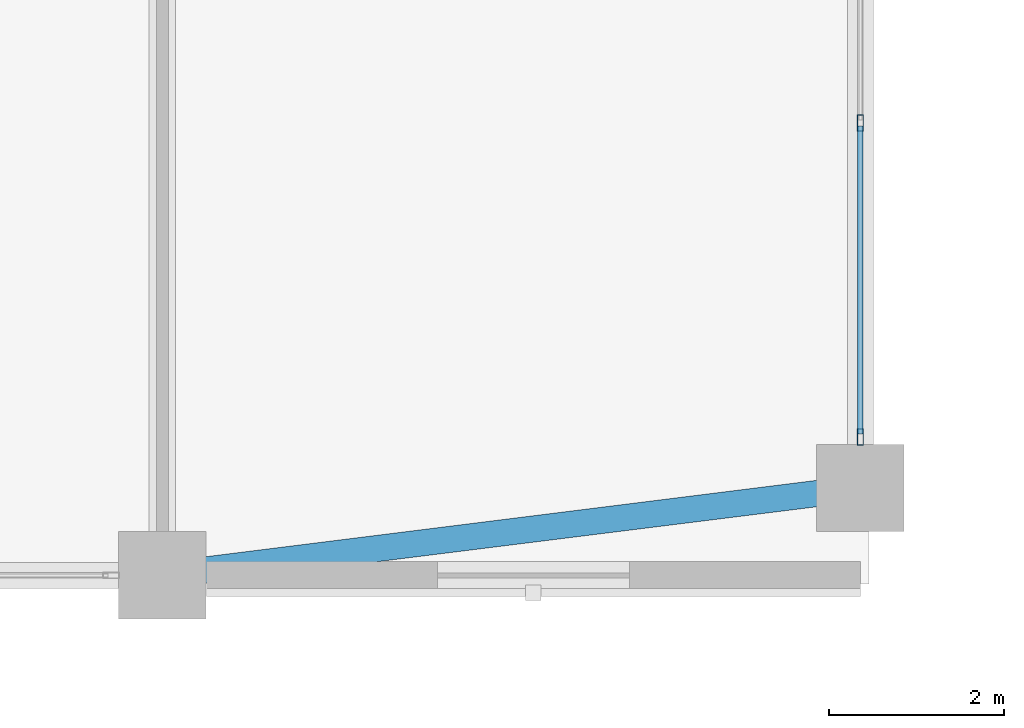
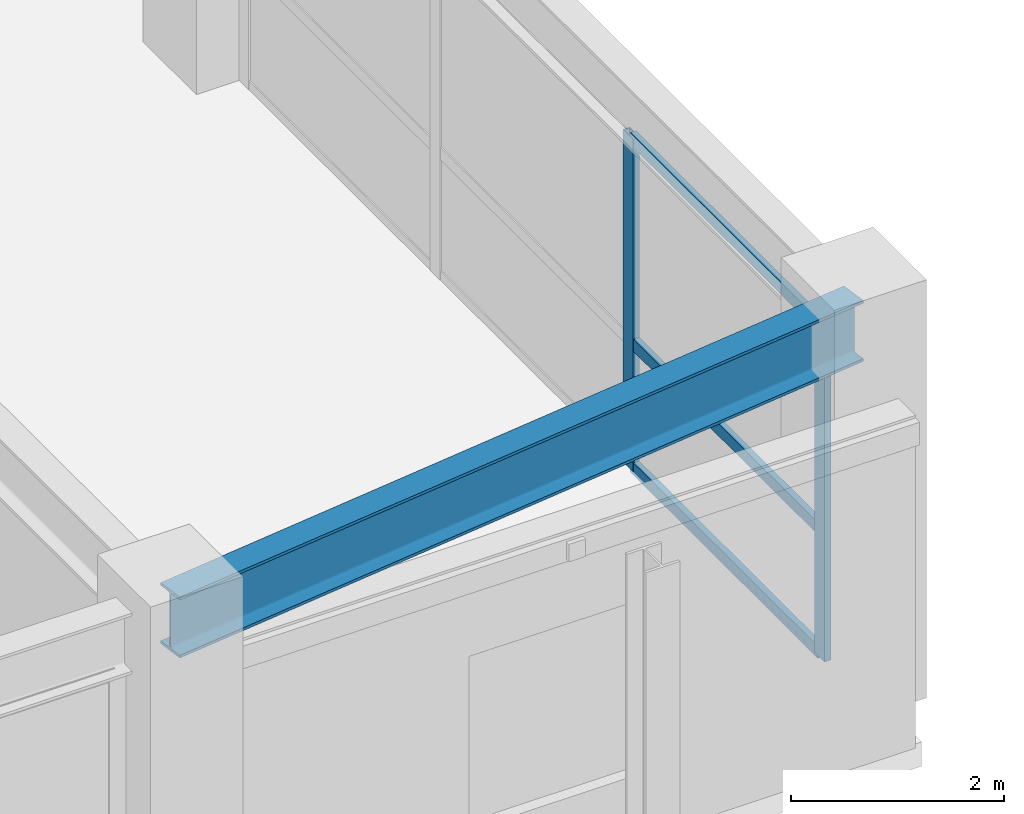
# One storey, part 11 of 48: 5 members, 1 beam, 1 element without a shape of its own.
"""IFC4 building model written with IfcOpenShell, lengths in metres."""

import ifcopenshell
import ifcopenshell.guid

model = None  # the IFC model being written
_history = None  # IfcOwnerHistory: only IFC2X3 demands one
_inside = {}  # id of a spatial element -> (the spatial element, [elements in it])
_under = {}  # id of a project, library or spatial element -> (it, [spatial elements below it])
_declared = {}  # id of a project -> (the project, [libraries it declares])
_typed = {}  # id of a type object -> (the type object, [elements of that type])
_made_of = {}  # id of a material, layer set ... -> (it, [elements and type objects made of it])


def new_model(schema):
    """Start an empty IFC model of exactly this schema.

    Asked for "IFC4X3", IfcOpenShell would pick the latest addendum, in which some entities
    have other attributes; the version numbers below select the first issue.
    IFC2X3 requires an IfcOwnerHistory on every rooted entity: one is made here for all.
    """
    global model, _history
    if schema == "IFC4X3":
        model = ifcopenshell.file(schema_version=(4, 3, 0, 0))
    else:
        model = ifcopenshell.file(schema=schema)
    _inside.clear()
    _under.clear()
    _declared.clear()
    _typed.clear()
    _made_of.clear()
    _history = None
    if model.schema == "IFC2X3":
        org = make("IfcOrganization", Name="unknown")
        user = make(
            "IfcPersonAndOrganization",
            ThePerson=make("IfcPerson", FamilyName="unknown"),
            TheOrganization=org,
        )
        app = make(
            "IfcApplication",
            ApplicationDeveloper=org,
            Version="unknown",
            ApplicationFullName="unknown",
            ApplicationIdentifier="unknown",
        )
        _history = make(
            "IfcOwnerHistory",
            OwningUser=user,
            OwningApplication=app,
            ChangeAction="ADDED",
            CreationDate=0,
        )
    return model


def make(cls, **values):
    """One entity of the class cls with the attributes given. An attribute that is None is left unset."""
    return model.create_entity(
        cls, **{name: value for name, value in values.items() if value is not None}
    )


def rooted(cls, **values):
    """An entity with a GlobalId (a new one), such as an element, a storey or a relation."""
    return make(cls, GlobalId=ifcopenshell.guid.new(), OwnerHistory=_history, **values)


def si_unit(unit_type, name, prefix=None):
    """IfcSIUnit, for example si_unit("LENGTHUNIT", "METRE", prefix="MILLI")."""
    return make("IfcSIUnit", UnitType=unit_type, Prefix=prefix, Name=name)


def derived_unit(unit_type, elements):
    """IfcDerivedUnit: a product of units, each with its exponent."""
    return make(
        "IfcDerivedUnit",
        Elements=[
            make("IfcDerivedUnitElement", Unit=unit, Exponent=power)
            for unit, power in elements
        ],
        UnitType=unit_type,
    )


def assignment(units):
    """IfcUnitAssignment: the units of a project."""
    return None if units is None else make("IfcUnitAssignment", Units=units)


def point(xyz):
    """IfcCartesianPoint."""
    return None if xyz is None else make("IfcCartesianPoint", Coordinates=xyz)


def direction(xyz):
    """IfcDirection."""
    return None if xyz is None else make("IfcDirection", DirectionRatios=xyz)


def frame(location, z_axis=None, x_axis=None):
    """IfcAxis2Placement3D, a coordinate frame: its origin and axes. An axis left out is left unset."""
    return make(
        "IfcAxis2Placement3D",
        Location=point(location),
        Axis=direction(z_axis),
        RefDirection=direction(x_axis),
    )


def frame_2d(location, x_axis=None):
    """IfcAxis2Placement2D, a coordinate frame in the plane: its origin and x axis."""
    return make(
        "IfcAxis2Placement2D", Location=point(location), RefDirection=direction(x_axis)
    )


def origin():
    """The frame at (0, 0, 0) with its axes left unset."""
    return frame((0.0, 0.0, 0.0))


def origin_2d():
    """The frame at (0, 0) in the plane with its x axis left unset."""
    return frame_2d((0.0, 0.0))


def place(relative_to, where):
    """IfcLocalPlacement: puts the frame where relative to a parent placement (None: the world)."""
    return make(
        "IfcLocalPlacement", PlacementRelTo=relative_to, RelativePlacement=where
    )


def context(
    kind, dimensions, precision=None, world=None, true_north=None, identifier=None
):
    """IfcGeometricRepresentationContext, for example the 3D "Model" context."""
    return make(
        "IfcGeometricRepresentationContext",
        ContextIdentifier=identifier,
        ContextType=kind,
        CoordinateSpaceDimension=dimensions,
        Precision=precision,
        WorldCoordinateSystem=world,
        TrueNorth=true_north,
    )


def subcontext(parent, identifier, kind, view, scale=None):
    """IfcGeometricRepresentationSubContext, for example "Body" below "Model"."""
    return make(
        "IfcGeometricRepresentationSubContext",
        ContextIdentifier=identifier,
        ContextType=kind,
        ParentContext=parent,
        TargetScale=scale,
        TargetView=view,
    )


def project(units=None, contexts=None):
    """IfcProject with its units and contexts."""
    return rooted(
        "IfcProject",
        Name="project",
        RepresentationContexts=contexts,
        UnitsInContext=assignment(units),
    )


def spatial(cls, under=None, at=None, **own):
    """A site, building, storey or space (cls), placed at a placement, below another one or the project."""
    s = rooted(cls, ObjectPlacement=at, **own)
    if under is not None:
        _under.setdefault(under.id(), (under, []))[1].append(s)
    return s


def profile(cls, at=None, kind="AREA", **sizes):
    """A parametric profile (cls). Its sizes go by their IFC names, for example OverallWidth=200.0."""
    return make(cls, ProfileType=kind, Position=at, **sizes)


def hollow_rectangle(**sizes):
    """IfcRectangleHollowProfileDef."""
    return profile("IfcRectangleHollowProfileDef", **sizes)


def i_section(**sizes):
    """IfcIShapeProfileDef."""
    return profile("IfcIShapeProfileDef", **sizes)


def extrude(swept, where, along, depth):
    """IfcExtrudedAreaSolid: the profile swept, set in the frame where, extruded along a direction by depth."""
    return make(
        "IfcExtrudedAreaSolid",
        SweptArea=swept,
        Position=where,
        ExtrudedDirection=direction(along),
        Depth=depth,
    )


def shape(context_of_items, identifier, shape_type, items):
    """IfcShapeRepresentation: the items that make up one representation, for example the "Body"."""
    return make(
        "IfcShapeRepresentation",
        ContextOfItems=context_of_items,
        RepresentationIdentifier=identifier,
        RepresentationType=shape_type,
        Items=items,
    )


def source(mapping_origin, context_of_items, identifier, shape_type, items):
    """IfcRepresentationMap: a shape defined once, which mapped items show again and again."""
    return make(
        "IfcRepresentationMap",
        MappingOrigin=mapping_origin,
        MappedRepresentation=shape(context_of_items, identifier, shape_type, items),
    )


def transform(
    local_origin,
    x_axis=None,
    y_axis=None,
    z_axis=None,
    scale=None,
    scale2=None,
    scale3=None,
    uniform=True,
):
    """IfcCartesianTransformationOperator3D, or its non-uniform kind. x_axis, y_axis, z_axis: its Axis1, 2, 3."""
    if uniform:
        return make(
            "IfcCartesianTransformationOperator3D",
            Axis1=direction(x_axis),
            Axis2=direction(y_axis),
            LocalOrigin=point(local_origin),
            Scale=scale,
            Axis3=direction(z_axis),
        )
    return make(
        "IfcCartesianTransformationOperator3DnonUniform",
        Axis1=direction(x_axis),
        Axis2=direction(y_axis),
        LocalOrigin=point(local_origin),
        Scale=scale,
        Axis3=direction(z_axis),
        Scale2=scale2,
        Scale3=scale3,
    )


def mapped(mapping_source, mapping_target):
    """IfcMappedItem: shows the shape of a source again, moved by a transform."""
    return make(
        "IfcMappedItem", MappingSource=mapping_source, MappingTarget=mapping_target
    )


def material(Name=None, Category=None):
    """IfcMaterial."""
    return make("IfcMaterial", Name=Name, Category=Category)


def layer(
    of_material, thickness, ventilated=None, Name=None, Category=None, Priority=None
):
    """IfcMaterialLayer: one layer of a wall or slab, of a material (None: an air gap)."""
    return make(
        "IfcMaterialLayer",
        Material=of_material,
        LayerThickness=thickness,
        IsVentilated=ventilated,
        Name=Name,
        Category=Category,
        Priority=Priority,
    )


def layer_set(layers, Name=None):
    """IfcMaterialLayerSet."""
    return make("IfcMaterialLayerSet", MaterialLayers=layers, LayerSetName=Name)


def material_profile(
    of_material, cross_section, Name=None, Category=None, Priority=None
):
    """IfcMaterialProfile: a cross section and its material."""
    return make(
        "IfcMaterialProfile",
        Name=Name,
        Material=of_material,
        Profile=cross_section,
        Priority=Priority,
        Category=Category,
    )


def profile_set(profiles, Name=None, composite=None):
    """IfcMaterialProfileSet."""
    return make(
        "IfcMaterialProfileSet",
        Name=Name,
        MaterialProfiles=profiles,
        CompositeProfile=composite,
    )


def made_of(thing, what):
    """Note that an element or type object is made of a material, layer set ...; save() writes the relation."""
    if what is not None:
        _made_of.setdefault(what.id(), (what, []))[1].append(thing)
    return thing


def type_object(cls, material=None, **own):
    """A type object (cls), such as IfcWallType, which elements share."""
    return made_of(rooted(cls, **own), material)


def element(
    cls,
    number,
    at=None,
    inside=None,
    cuts=None,
    type_object=None,
    material=None,
    context=None,
    identifier="Body",
    shape_type=None,
    held_by="IfcProductDefinitionShape",
    body=None,
    shapes=None,
    **own,
):
    """One element of the class cls, such as IfcWall. Its Tag is "e" and its number.

    at: its placement. inside: the storey or other place that contains it. cuts: it is an
    opening in that element (IfcRelVoidsElement). A single representation is given by context,
    identifier, shape_type and body (its items); several are given by shapes. held_by: the class
    of the entity that holds the representations. save() writes the other relations.
    """
    e = rooted(cls, Tag="e%d" % number, ObjectPlacement=at, **own)
    if body is not None:
        shapes = [shape(context, identifier, shape_type, body)]
    if shapes is not None:
        e.Representation = make(held_by, Representations=shapes)
    if inside is not None:
        _inside.setdefault(inside.id(), (inside, []))[1].append(e)
    if cuts is not None:
        rooted(
            "IfcRelVoidsElement", RelatingBuildingElement=cuts, RelatedOpeningElement=e
        )
    if type_object is not None:
        _typed.setdefault(type_object.id(), (type_object, []))[1].append(e)
    return made_of(e, material)


def aggregate(whole, parts):
    """IfcRelAggregates: a whole, such as a stair, and the parts it consists of."""
    return rooted("IfcRelAggregates", RelatingObject=whole, RelatedObjects=parts)


def save(model, path):
    """Write the relations noted so far, then the file.

    IfcRelAggregates (storeys below a building ...), IfcRelContainedInSpatialStructure (elements
    in a storey), IfcRelDefinesByType, IfcRelAssociatesMaterial and IfcRelDeclares: one each for
    every whole, place, type object, material and project.
    """
    for whole, parts in _under.values():
        aggregate(whole, parts)
    for where, things in _inside.values():
        rooted(
            "IfcRelContainedInSpatialStructure",
            RelatedElements=things,
            RelatingStructure=where,
        )
    for kind, things in _typed.values():
        rooted("IfcRelDefinesByType", RelatedObjects=things, RelatingType=kind)
    for what, things in _made_of.values():
        rooted("IfcRelAssociatesMaterial", RelatedObjects=things, RelatingMaterial=what)
    for by, libraries in _declared.values():
        rooted("IfcRelDeclares", RelatingContext=by, RelatedDefinitions=libraries)
    model.write(path)


model = new_model("IFC4")

# Units and contexts
model_context = context("Model", 3, precision=1e-05, world=origin(), true_north=direction((0.0, 1.0)))
body_context = subcontext(model_context, "Body", "Model", "MODEL_VIEW")
ifc_project = project(units=[si_unit("LENGTHUNIT", "METRE"), si_unit("AREAUNIT", "SQUARE_METRE"), si_unit("VOLUMEUNIT", "CUBIC_METRE"), si_unit("PLANEANGLEUNIT", "RADIAN"), si_unit("MASSUNIT", "GRAM", prefix="KILO"), derived_unit("THERMALTRANSMITTANCEUNIT", [(si_unit("POWERUNIT", "WATT"), 1), (si_unit("LENGTHUNIT", "METRE"), -2), (si_unit("THERMODYNAMICTEMPERATUREUNIT", "KELVIN"), -1)])], contexts=[model_context])

# Site, building, storey
site_placement = place(None, origin())
site = spatial("IfcSite", under=ifc_project, at=site_placement, CompositionType="ELEMENT")
building_placement = place(site_placement, origin())
building = spatial("IfcBuilding", under=site, at=building_placement, Name="Korsvarv Bourse and Concert Hall", CompositionType="ELEMENT")
storey_placement = place(building_placement, frame((0.0, 0.0, 4.800048828125)))
storey = spatial("IfcBuildingStorey", under=building, at=storey_placement, Name="L01", CompositionType="ELEMENT", Elevation=4.800048828125)

# Beam
ifc_material_1 = material(Name="Steel S355", Category="steel")
ifc_material_profile_1 = material_profile(ifc_material_1, i_section(OverallWidth=0.300048828125, OverallDepth=0.699951171875, WebThickness=0.01708984375, FlangeThickness=0.031982421875, FilletRadius=0.027099609375, at=origin_2d()), Name="HEB 700")
ifc_profile_set_1 = profile_set([ifc_material_profile_1], Name="Steel S355")
beam_type = type_object("IfcBeamType", Name="BM-HEB700", PredefinedType="BEAM", material=ifc_profile_set_1)
shared_shape_1 = source(origin(), body_context, "Body", "SweptSolid", [
    extrude(i_section(OverallWidth=0.300048828125, OverallDepth=0.699951171875, WebThickness=0.01708984375, FlangeThickness=0.031982421875, FilletRadius=0.027099609375, at=origin_2d()), origin(), (0.0, 0.0, 1.0), 8.062255859375),
])
beam_placement = place(storey_placement, frame((58.0, 3.0, 4.169921875), z_axis=(0.992277876714, 0.124034734589, 0.0), x_axis=(-0.124034734589, 0.992277876714, 0.0)))
element("IfcBeam", 1, at=beam_placement, inside=storey, type_object=beam_type, Name="L01 beam B-03", PredefinedType="BEAM", context=body_context, shape_type="MappedRepresentation", body=[
    mapped(shared_shape_1, transform((0.0, 0.0, 0.0), scale=1.0)),
])

# Curtain wall, members
ifc_material_2 = material(Name="Anodised aluminium and triple low-E glazing", Category="glass")
ifc_layer = layer(ifc_material_2, 0.239990234375)
ifc_layer_set = layer_set([ifc_layer], Name="Anodised aluminium and triple low-E glazing")
curtain_wall_type = type_object("IfcCurtainWallType", Name="CW-SYS-5", PredefinedType="NOTDEFINED", material=ifc_layer_set)
curtain_wall_placement = place(storey_placement, origin())
curtain_wall = element("IfcCurtainWall", 2, at=curtain_wall_placement, inside=storey, type_object=curtain_wall_type, Name="L01 CW5 curtain wall CW-L01-E1", PredefinedType="NOTDEFINED")
ifc_material_3 = material(Name="Extruded aluminium EN AW-6063 T66", Category="aluminium")
ifc_material_profile_2 = material_profile(ifc_material_3, hollow_rectangle(XDim=0.070068359375, YDim=0.18994140625, WallThickness=0.0048828125, at=origin_2d()), Name="ALU-M 70x190")
ifc_profile_set_2 = profile_set([ifc_material_profile_2], Name="Extruded aluminium EN AW-6063 T66")
member_type_1 = type_object("IfcMemberType", Name="CWM-190", PredefinedType="MULLION", material=ifc_profile_set_2)
shared_shape_2 = source(origin(), body_context, "Body", "SweptSolid", [
    extrude(hollow_rectangle(XDim=0.070068359375, YDim=0.18994140625, WallThickness=0.0048828125, at=origin_2d()), origin(), (0.0, 0.0, 1.0), 3.820068359375),
])
member_1_placement = place(storey_placement, frame((66.0, 4.5849609375, 0.0), z_axis=(0.0, 0.0, 1.0), x_axis=(-1.0, 0.0, 0.0)))
member_1 = element("IfcMember", 3, at=member_1_placement, type_object=member_type_1, Name="CW5 mullion 1", PredefinedType="MULLION", context=body_context, shape_type="MappedRepresentation", body=[
    mapped(shared_shape_2, transform((0.0, 0.0, 0.0), scale=1.0)),
])
member_2_placement = place(storey_placement, frame((66.0, 8.183349609375, 0.0), z_axis=(0.0, 0.0, 1.0), x_axis=(-1.0, 0.0, 0.0)))
member_2 = element("IfcMember", 4, at=member_2_placement, type_object=member_type_1, Name="CW5 mullion 2", PredefinedType="MULLION", context=body_context, shape_type="MappedRepresentation", body=[
    mapped(shared_shape_2, transform((0.0, 0.0, 0.0), scale=1.0)),
])
ifc_material_profile_3 = material_profile(ifc_material_3, hollow_rectangle(XDim=0.06494140625, YDim=0.139892578125, WallThickness=0.00390625, at=origin_2d()), Name="ALU-T 65x140")
ifc_profile_set_3 = profile_set([ifc_material_profile_3], Name="Extruded aluminium EN AW-6063 T66")
member_type_2 = type_object("IfcMemberType", Name="CWT-140", PredefinedType="USERDEFINED", material=ifc_profile_set_3)
shared_shape_3 = source(origin(), body_context, "Body", "SweptSolid", [
    extrude(hollow_rectangle(XDim=0.06494140625, YDim=0.139892578125, WallThickness=0.00390625, at=origin_2d()), origin(), (0.0, 0.0, 1.0), 3.5283203125),
])
member_3_placement = place(storey_placement, frame((66.0, 4.6201171875, 0.032470703125), z_axis=(0.0, 1.0, 0.0), x_axis=(-1.0, 0.0, 0.0)))
member_3 = element("IfcMember", 5, at=member_3_placement, type_object=member_type_2, Name="CW5 transom 1.1", ObjectType="TRANSOM", PredefinedType="USERDEFINED", context=body_context, shape_type="MappedRepresentation", body=[
    mapped(shared_shape_3, transform((0.0, 0.0, 0.0), scale=1.0)),
])
member_4_placement = place(storey_placement, frame((66.0, 4.6201171875, 1.45166015625), z_axis=(0.0, 1.0, 0.0), x_axis=(-1.0, 0.0, 0.0)))
member_4 = element("IfcMember", 6, at=member_4_placement, type_object=member_type_2, Name="CW5 transom 1.2", ObjectType="TRANSOM", PredefinedType="USERDEFINED", context=body_context, shape_type="MappedRepresentation", body=[
    mapped(shared_shape_3, transform((0.0, 0.0, 0.0), scale=1.0)),
])
member_5_placement = place(storey_placement, frame((66.0, 4.6201171875, 3.787353515625), z_axis=(0.0, 1.0, 0.0), x_axis=(-1.0, 0.0, 0.0)))
member_5 = element("IfcMember", 7, at=member_5_placement, type_object=member_type_2, Name="CW5 transom 1.3", ObjectType="TRANSOM", PredefinedType="USERDEFINED", context=body_context, shape_type="MappedRepresentation", body=[
    mapped(shared_shape_3, transform((0.0, 0.0, 0.0), scale=1.0)),
])
aggregate(curtain_wall, [member_1, member_2, member_3, member_4, member_5])

save(model, "model.ifc")
